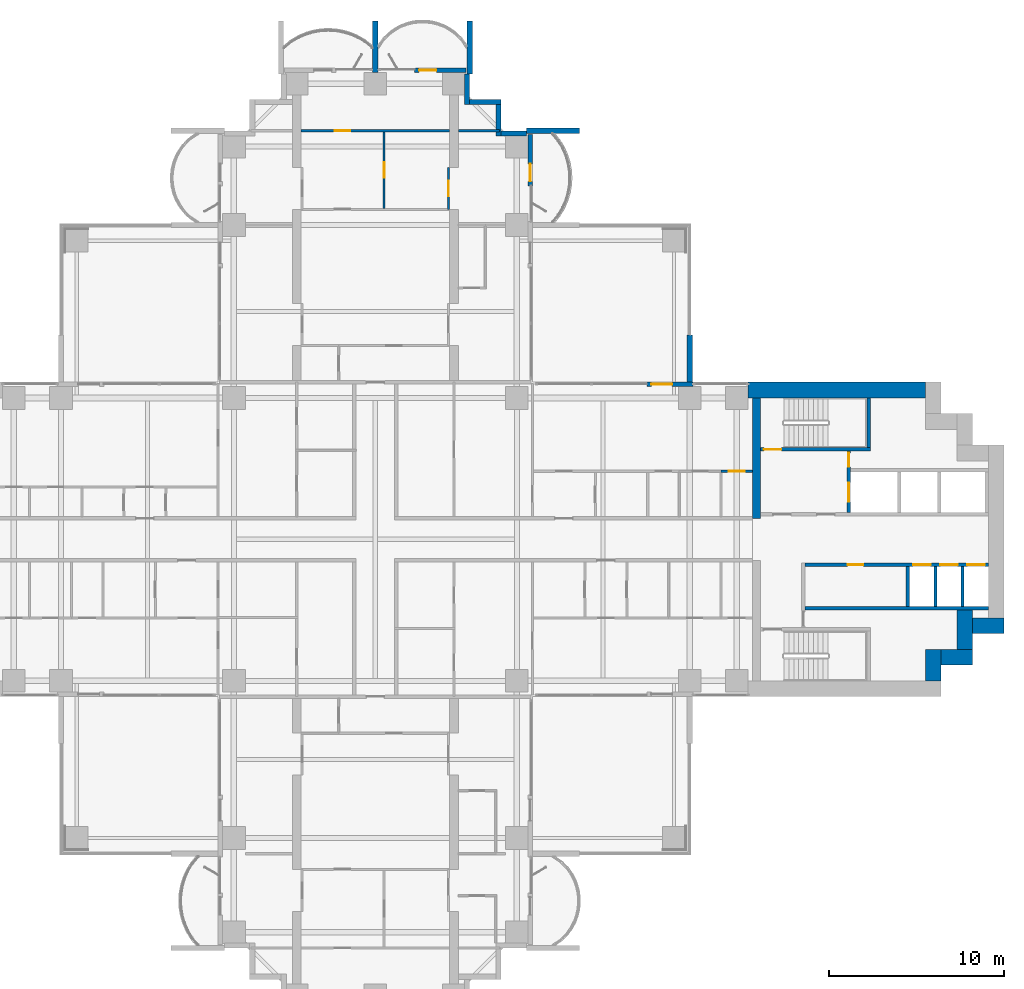
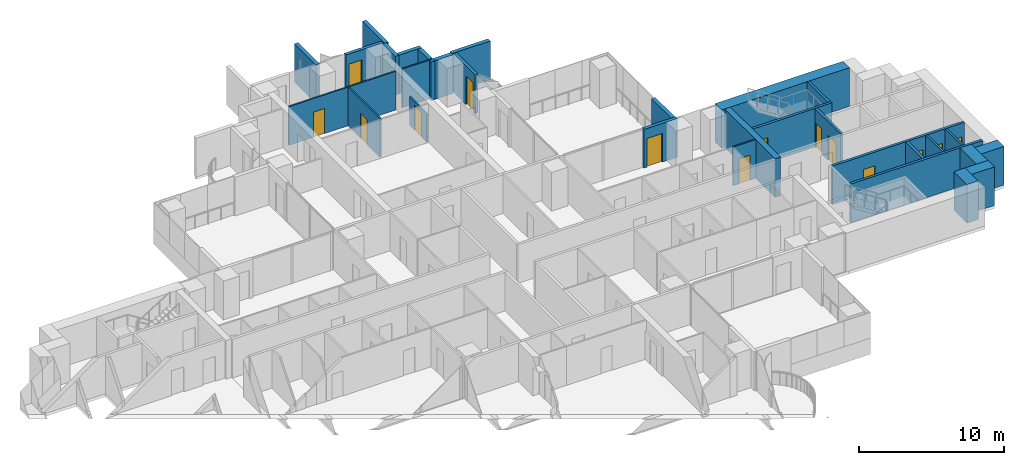
# One storey, part 15 of 21: 30 walls, 14 doors, 14 openings.
"""IFC4 building model written with IfcOpenShell, lengths in metres."""

from ifc_helpers import new_model, si_unit, direction, frame, frame_2d, origin, place, context, subcontext, project, spatial, rectangle, extrude, material, layer, layer_set, type_object, element, fill, save


model = new_model("IFC4")

# Units and contexts
model_context = context("Model", 3, precision=1e-05, world=origin(), true_north=direction((0.0, 1.0)))
body_context = subcontext(model_context, "Body", "Model", "MODEL_VIEW")
ifc_project = project(units=[si_unit("LENGTHUNIT", "METRE"), si_unit("AREAUNIT", "SQUARE_METRE"), si_unit("VOLUMEUNIT", "CUBIC_METRE"), si_unit("PLANEANGLEUNIT", "RADIAN"), si_unit("MASSUNIT", "GRAM", prefix="KILO")], contexts=[model_context])

# Site, building, storey
site_placement = place(None, origin())
site = spatial("IfcSite", under=ifc_project, at=site_placement, CompositionType="ELEMENT")
building_placement = place(site_placement, origin())
building = spatial("IfcBuilding", under=site, at=building_placement, Name="Perihelion Cross Residences", CompositionType="ELEMENT")
storey_placement = place(building_placement, frame((0.0, 0.0, 47.0)))
storey = spatial("IfcBuildingStorey", under=building, at=storey_placement, Name="L08", CompositionType="ELEMENT", Elevation=47.0)

# Wall, opening, door
ifc_material_1 = material(Name="Concrete C30/37, bronze-clad", Category="concrete")
ifc_layer_1 = layer(ifc_material_1, 0.25)
ifc_layer_set_1 = layer_set([ifc_layer_1], Name="Bronze-clad pier wall 250")
wall_type_1 = type_object("IfcWallType", Name="Bronze-clad pier wall 250", PredefinedType="SOLIDWALL", material=ifc_layer_set_1)
wall_1_placement = place(storey_placement, frame((18.199951171875, 8.875, 0.0), z_axis=(0.0, 0.0, 1.0), x_axis=(-1.0, 0.0, 0.0)))
wall_1 = element("IfcWall", 1, at=wall_1_placement, inside=storey, type_object=wall_type_1, Name="Wall FW1 L08 east side north bay 2 pier", PredefinedType="SOLIDWALL", context=body_context, shape_type="SweptSolid", body=[
    extrude(rectangle(XDim=2.64990234375, YDim=0.25, at=frame_2d((1.324951171875, 0.0))), origin(), (0.0, 0.0, 1.0), 3.25),
])
opening_1_placement = place(wall_1_placement, frame((1.199951171875, 0.0, 0.0)))
opening_1 = element("IfcOpeningElement", 2, at=opening_1_placement, cuts=wall_1, Name="Opening L08.E01", PredefinedType="OPENING", context=body_context, shape_type="SweptSolid", body=[
    extrude(rectangle(XDim=1.199951171875, YDim=2.39990234375, at=frame_2d((0.60009765625, 1.199951171875))), frame((0.0, 0.135009765625, 0.0), z_axis=(0.0, -1.0, 0.0), x_axis=(1.0, 0.0, 0.0)), (0.0, 0.0, 1.0), 0.27001953125),
])
ifc_material_2 = material(Name="Bronze anodised aluminium, glazed", Category="aluminium")
door_type_1 = type_object("IfcDoorType", Name="Balcony door 1200 x 2400", OperationType="NOTDEFINED", PredefinedType="DOOR", material=ifc_material_2)
door_1_placement = place(opening_1_placement, origin())
door_1 = element("IfcDoor", 3, at=door_1_placement, inside=storey, type_object=door_type_1, Name="Door L08.E01 east side north bay 2", OperationType="SINGLE_SWING_RIGHT", OverallHeight=2.39990234375, OverallWidth=1.199951171875, PredefinedType="DOOR", context=body_context, shape_type="SweptSolid", body=[
    extrude(rectangle(XDim=1.199951171875, YDim=2.39990234375, at=frame_2d((0.60009765625, 1.199951171875))), frame((0.0, 0.02490234375, 0.0), z_axis=(0.0, -1.0, 0.0), x_axis=(1.0, 0.0, 0.0)), (0.0, 0.0, 1.0), 0.050048828125),
])
fill(opening_1, door_1)

wall_2_placement = place(storey_placement, frame((8.875, 20.25, 0.0), z_axis=(0.0, 0.0, 1.0), x_axis=(0.0, 1.0, 0.0)))
wall_2 = element("IfcWall", 4, at=wall_2_placement, inside=storey, type_object=wall_type_1, Name="Wall FW1 L08 north side east bay 2 pier", PredefinedType="SOLIDWALL", context=body_context, shape_type="SweptSolid", body=[
    extrude(rectangle(XDim=2.949951171875, YDim=0.25, at=frame_2d((1.47509765625, 0.0))), origin(), (0.0, 0.0, 1.0), 3.25),
])
opening_2_placement = place(wall_2_placement, frame((0.25, 0.0, 0.0)))
opening_2 = element("IfcOpeningElement", 5, at=opening_2_placement, cuts=wall_2, Name="Opening L08.E03", PredefinedType="OPENING", context=body_context, shape_type="SweptSolid", body=[
    extrude(rectangle(XDim=1.0, YDim=2.39990234375, at=frame_2d((0.5, 1.199951171875))), frame((0.0, 0.135009765625, 0.0), z_axis=(0.0, -1.0, 0.0), x_axis=(1.0, 0.0, 0.0)), (0.0, 0.0, 1.0), 0.27001953125),
])
ifc_material_3 = material(Name="Bronze anodised aluminium, glazed", Category="aluminium")
door_type_2 = type_object("IfcDoorType", Name="Balcony door 1000 x 2400", OperationType="NOTDEFINED", PredefinedType="DOOR", material=ifc_material_3)
door_2_placement = place(opening_2_placement, origin())
door_2 = element("IfcDoor", 6, at=door_2_placement, inside=storey, type_object=door_type_2, Name="Door L08.E03 north side east bay 2", OperationType="SINGLE_SWING_RIGHT", OverallHeight=2.39990234375, OverallWidth=1.0, PredefinedType="DOOR", context=body_context, shape_type="SweptSolid", body=[
    extrude(rectangle(XDim=1.0, YDim=2.39990234375, at=frame_2d((0.5, 1.199951171875))), frame((0.0, 0.02490234375, 0.0), z_axis=(0.0, -1.0, 0.0), x_axis=(1.0, 0.0, 0.0)), (0.0, 0.0, 1.0), 0.050048828125),
])
fill(opening_2, door_2)

wall_3_placement = place(storey_placement, frame((5.199951171875, 26.875, 0.0), z_axis=(0.0, 0.0, 1.0), x_axis=(-1.0, 0.0, 0.0)))
wall_3 = element("IfcWall", 7, at=wall_3_placement, inside=storey, type_object=wall_type_1, Name="Wall FW1 L08 north tip north bay 1 pier", PredefinedType="SOLIDWALL", context=body_context, shape_type="SweptSolid", body=[
    extrude(rectangle(XDim=2.949951171875, YDim=0.25, at=frame_2d((1.47509765625, 0.0))), origin(), (0.0, 0.0, 1.0), 3.25),
])
opening_3_placement = place(wall_3_placement, frame((1.699951171875, 0.0, 0.0)))
opening_3 = element("IfcOpeningElement", 8, at=opening_3_placement, cuts=wall_3, Name="Opening L08.E04", PredefinedType="OPENING", context=body_context, shape_type="SweptSolid", body=[
    extrude(rectangle(XDim=1.0, YDim=2.39990234375, at=frame_2d((0.5, 1.199951171875))), frame((0.0, 0.135009765625, 0.0), z_axis=(0.0, -1.0, 0.0), x_axis=(1.0, 0.0, 0.0)), (0.0, 0.0, 1.0), 0.27001953125),
])
door_3_placement = place(opening_3_placement, origin())
door_3 = element("IfcDoor", 9, at=door_3_placement, inside=storey, type_object=door_type_2, Name="Door L08.E04 north tip north bay 1", OperationType="SINGLE_SWING_LEFT", OverallHeight=2.39990234375, OverallWidth=1.0, PredefinedType="DOOR", context=body_context, shape_type="SweptSolid", body=[
    extrude(rectangle(XDim=1.0, YDim=2.39990234375, at=frame_2d((0.5, 1.199951171875))), frame((0.0, 0.02490234375, 0.0), z_axis=(0.0, -1.0, 0.0), x_axis=(1.0, 0.0, 0.0)), (0.0, 0.0, 1.0), 0.050048828125),
])
fill(opening_3, door_3)

# Walls
ifc_material_4 = material(Name="Concrete C30/37, bronze-clad", Category="concrete")
ifc_layer_2 = layer(ifc_material_4, 0.300048828125)
ifc_layer_set_2 = layer_set([ifc_layer_2], Name="Bronze-clad serration wall 300")
wall_type_2 = type_object("IfcWallType", Name="Bronze-clad serration wall 300", PredefinedType="SOLIDWALL", material=ifc_layer_set_2)
wall_4_placement = place(storey_placement, frame((8.64990234375, 23.25, 0.0), z_axis=(0.0, 0.0, 1.0), x_axis=(-1.0, 0.0, 0.0)))
element("IfcWall", 10, at=wall_4_placement, inside=storey, type_object=wall_type_2, Name="Wall SR1 L08 north corner north-east 1", PredefinedType="SOLIDWALL", context=body_context, shape_type="SweptSolid", body=[
    extrude(rectangle(XDim=1.449951171875, YDim=0.300048828125, at=frame_2d((0.72509765625, 0.0))), origin(), (0.0, 0.0, 1.0), 3.25),
])
wall_5_placement = place(storey_placement, frame((7.050048828125, 23.10009765625, 0.0), z_axis=(0.0, 0.0, 1.0), x_axis=(0.0, 1.0, 0.0)))
element("IfcWall", 11, at=wall_5_placement, inside=storey, type_object=wall_type_2, Name="Wall SR1 L08 north corner north-east 2", PredefinedType="SOLIDWALL", context=body_context, shape_type="SweptSolid", body=[
    extrude(rectangle(XDim=1.7998046875, YDim=0.300048828125, at=frame_2d((0.89990234375, 0.0))), origin(), (0.0, 0.0, 1.0), 3.25),
])
wall_6_placement = place(storey_placement, frame((7.199951171875, 25.050048828125, 0.0), z_axis=(0.0, 0.0, 1.0), x_axis=(-1.0, 0.0, 0.0)))
element("IfcWall", 12, at=wall_6_placement, inside=storey, type_object=wall_type_2, Name="Wall SR1 L08 north corner north-east 3", PredefinedType="SOLIDWALL", context=body_context, shape_type="SweptSolid", body=[
    extrude(rectangle(XDim=1.800048828125, YDim=0.300048828125, at=frame_2d((0.89990234375, 0.0))), origin(), (0.0, 0.0, 1.0), 3.25),
])
wall_7_placement = place(storey_placement, frame((5.25, 24.89990234375, 0.0), z_axis=(0.0, 0.0, 1.0), x_axis=(0.0, 1.0, 0.0)))
element("IfcWall", 13, at=wall_7_placement, inside=storey, type_object=wall_type_2, Name="Wall SR1 L08 north corner north-east 4", PredefinedType="SOLIDWALL", context=body_context, shape_type="SweptSolid", body=[
    extrude(rectangle(XDim=1.75, YDim=0.300048828125, at=frame_2d((0.875, 0.0))), origin(), (0.0, 0.0, 1.0), 3.25),
])
ifc_material_5 = material(Name="Concrete C60/75", Category="concrete")
ifc_layer_3 = layer(ifc_material_5, 0.449951171875)
ifc_layer_set_3 = layer_set([ifc_layer_3], Name="Core wall, inner 450")
wall_type_3 = type_object("IfcWallType", Name="Core wall, inner 450", PredefinedType="SHEAR", material=ifc_layer_set_3)
wall_8_placement = place(storey_placement, frame((21.824951171875, 1.199951171875, 0.0), z_axis=(0.0, 0.0, 1.0), x_axis=(0.0, 1.0, 0.0)))
element("IfcWall", 14, at=wall_8_placement, inside=storey, type_object=wall_type_3, Name="East core core wall, inner", PredefinedType="SHEAR", context=body_context, shape_type="SweptSolid", body=[
    extrude(rectangle(XDim=6.900146484375, YDim=0.449951171875, at=frame_2d((3.4501953125, 0.0))), origin(), (0.0, 0.0, 1.0), 3.25),
])
ifc_material_6 = material(Name="Concrete C60/75", Category="concrete")
ifc_layer_4 = layer(ifc_material_6, 0.89990234375)
ifc_layer_set_4 = layer_set([ifc_layer_4], Name="Core wall, outer 900")
wall_type_4 = type_object("IfcWallType", Name="Core wall, outer 900", PredefinedType="SHEAR", material=ifc_layer_set_4)
for number, where, z_axis, x_axis, name in (
    (15, (31.949951171875, -8.10009765625, 0.0), (0.0, 0.0, 1.0), (0.0, 1.0, 0.0), "East core core wall, outer"),
    (16, (32.39990234375, -6.75, 0.0), (0.0, 0.0, 1.0), (1.0, 0.0, 0.0), "East core core wall, outer"),
):
    element("IfcWall", number, at=place(storey_placement, frame(where, z_axis=z_axis, x_axis=x_axis)), inside=storey, type_object=wall_type_4, Name=name, PredefinedType="SHEAR", context=body_context, shape_type="SweptSolid", body=[
        extrude(rectangle(XDim=1.800048828125, YDim=0.89990234375, at=frame_2d((0.89990234375, 0.0))), origin(), (0.0, 0.0, 1.0), 3.25),
    ])
wall_9_placement = place(storey_placement, frame((33.75, -6.300048828125, 0.0), z_axis=(0.0, 0.0, 1.0), x_axis=(0.0, 1.0, 0.0)))
element("IfcWall", 17, at=wall_9_placement, inside=storey, type_object=wall_type_4, Name="East core core wall, outer", PredefinedType="SHEAR", context=body_context, shape_type="SweptSolid", body=[
    extrude(rectangle(XDim=2.25, YDim=0.89990234375, at=frame_2d((1.125, 0.0))), origin(), (0.0, 0.0, 1.0), 3.25),
])
wall_10_placement = place(storey_placement, frame((34.199951171875, -4.949951171875, 0.0), z_axis=(0.0, 0.0, 1.0), x_axis=(1.0, 0.0, 0.0)))
element("IfcWall", 18, at=wall_10_placement, inside=storey, type_object=wall_type_4, Name="East core core wall, outer", PredefinedType="SHEAR", context=body_context, shape_type="SweptSolid", body=[
    extrude(rectangle(XDim=1.800048828125, YDim=0.89990234375, at=frame_2d((0.89990234375, 0.0))), origin(), (0.0, 0.0, 1.0), 3.25),
])
wall_11_placement = place(storey_placement, frame((21.35009765625, 8.550048828125, 0.0), z_axis=(0.0, 0.0, 1.0), x_axis=(1.0, 0.0, 0.0)))
element("IfcWall", 19, at=wall_11_placement, inside=storey, type_object=wall_type_4, Name="East core core wall, outer", PredefinedType="SHEAR", context=body_context, shape_type="SweptSolid", body=[
    extrude(rectangle(XDim=10.14990234375, YDim=0.89990234375, at=frame_2d((5.074951171875, 0.0))), origin(), (0.0, 0.0, 1.0), 3.25),
])

# Wall, opening, door
ifc_material_7 = material(Name="Plasterboard partition")
ifc_layer_5 = layer(ifc_material_7, 0.1201171875)
ifc_layer_set_5 = layer_set([ifc_layer_5], Name="Infill panel 120")
wall_type_5 = type_object("IfcWallType", Name="Infill panel 120", PredefinedType="PARTITIONING", material=ifc_layer_set_5)
wall_12_placement = place(storey_placement, frame((4.18994140625, 18.89990234375, 0.0), z_axis=(0.0, 0.0, 1.0), x_axis=(0.0, 1.0, 0.0)))
wall_12 = element("IfcWall", 20, at=wall_12_placement, inside=storey, type_object=wall_type_5, Name="Partition L08 WI02", PredefinedType="PARTITIONING", context=body_context, shape_type="SweptSolid", body=[
    extrude(rectangle(XDim=2.400146484375, YDim=0.1201171875, at=frame_2d((1.2001953125, 0.0))), origin(), (0.0, 0.0, 1.0), 2.39990234375),
])
opening_4_placement = place(wall_12_placement, frame((0.75, 0.0, 0.0)))
opening_4 = element("IfcOpeningElement", 21, at=opening_4_placement, cuts=wall_12, Name="Opening L08.A52", PredefinedType="OPENING", context=body_context, shape_type="SweptSolid", body=[
    extrude(rectangle(XDim=0.89990234375, YDim=2.10009765625, at=frame_2d((0.449951171875, 1.050048828125))), frame((0.0, 0.070068359375, 0.0), z_axis=(0.0, -1.0, 0.0), x_axis=(1.0, 0.0, 0.0)), (0.0, 0.0, 1.0), 0.14013671875),
])
ifc_material_8 = material(Name="Timber door leaf", Category="wood")
door_type_3 = type_object("IfcDoorType", Name="Interior room door 900 x 2100", OperationType="SINGLE_SWING_LEFT", PredefinedType="DOOR", material=ifc_material_8)
door_4_placement = place(opening_4_placement, origin())
door_4 = element("IfcDoor", 22, at=door_4_placement, inside=storey, type_object=door_type_3, Name="Door L08.A52", OperationType="SINGLE_SWING_RIGHT", OverallHeight=2.10009765625, OverallWidth=0.89990234375, PredefinedType="DOOR", context=body_context, shape_type="SweptSolid", body=[
    extrude(rectangle(XDim=0.89990234375, YDim=2.10009765625, at=frame_2d((0.449951171875, 1.050048828125))), frame((0.0, 0.02490234375, 0.0), z_axis=(0.0, -1.0, 0.0), x_axis=(1.0, 0.0, 0.0)), (0.0, 0.0, 1.0), 0.050048828125),
])
fill(opening_4, door_4)

ifc_material_9 = material(Name="Plasterboard partition")
ifc_layer_6 = layer(ifc_material_9, 0.1201171875)
ifc_layer_set_6 = layer_set([ifc_layer_6], Name="Partition wall 120")
wall_type_6 = type_object("IfcWallType", Name="Partition wall 120", PredefinedType="PARTITIONING", material=ifc_layer_set_6)
wall_13_placement = place(storey_placement, frame((19.800048828125, 3.89990234375, 0.0), z_axis=(0.0, 0.0, 1.0), x_axis=(1.0, 0.0, 0.0)))
wall_13 = element("IfcWall", 23, at=wall_13_placement, inside=storey, type_object=wall_type_6, Name="Partition L08 W018", PredefinedType="PARTITIONING", context=body_context, shape_type="SweptSolid", body=[
    extrude(rectangle(XDim=1.800048828125, YDim=0.1201171875, at=frame_2d((0.89990234375, 0.0))), origin(), (0.0, 0.0, 1.0), 3.25),
])
opening_5_placement = place(wall_13_placement, frame((0.449951171875, 0.0, 0.0)))
opening_5 = element("IfcOpeningElement", 24, at=opening_5_placement, cuts=wall_13, Name="Opening L08.A03", PredefinedType="OPENING", context=body_context, shape_type="SweptSolid", body=[
    extrude(rectangle(XDim=0.89990234375, YDim=2.10009765625, at=frame_2d((0.449951171875, 1.050048828125))), frame((0.0, 0.070068359375, 0.0), z_axis=(0.0, -1.0, 0.0), x_axis=(1.0, 0.0, 0.0)), (0.0, 0.0, 1.0), 0.14013671875),
])
door_5_placement = place(opening_5_placement, origin())
door_5 = element("IfcDoor", 25, at=door_5_placement, inside=storey, type_object=door_type_3, Name="Door L08.A03", OperationType="SINGLE_SWING_RIGHT", OverallHeight=2.10009765625, OverallWidth=0.89990234375, PredefinedType="DOOR", context=body_context, shape_type="SweptSolid", body=[
    extrude(rectangle(XDim=0.89990234375, YDim=2.10009765625, at=frame_2d((0.449951171875, 1.050048828125))), frame((0.0, 0.02490234375, 0.0), z_axis=(0.0, -1.0, 0.0), x_axis=(1.0, 0.0, 0.0)), (0.0, 0.0, 1.0), 0.050048828125),
])
fill(opening_5, door_5)

wall_14_placement = place(storey_placement, frame((0.5, 23.340087890625, 0.0), z_axis=(0.0, 0.0, 1.0), x_axis=(0.0, -1.0, 0.0)))
wall_14 = element("IfcWall", 26, at=wall_14_placement, inside=storey, type_object=wall_type_6, Name="Partition L08 W057", PredefinedType="PARTITIONING", context=body_context, shape_type="SweptSolid", body=[
    extrude(rectangle(XDim=4.380126953125, YDim=0.1201171875, at=frame_2d((2.18994140625, 0.0))), origin(), (0.0, 0.0, 1.0), 3.25),
])
opening_6_placement = place(wall_14_placement, frame((1.739990234375, 0.0, 0.0)))
opening_6 = element("IfcOpeningElement", 27, at=opening_6_placement, cuts=wall_14, Name="Opening L08.A36", PredefinedType="OPENING", context=body_context, shape_type="SweptSolid", body=[
    extrude(rectangle(XDim=0.89990234375, YDim=2.10009765625, at=frame_2d((0.449951171875, 1.050048828125))), frame((0.0, 0.070068359375, 0.0), z_axis=(0.0, -1.0, 0.0), x_axis=(1.0, 0.0, 0.0)), (0.0, 0.0, 1.0), 0.14013671875),
])
door_6_placement = place(opening_6_placement, origin())
door_6 = element("IfcDoor", 28, at=door_6_placement, inside=storey, type_object=door_type_3, Name="Door L08.A36", OperationType="SINGLE_SWING_LEFT", OverallHeight=2.10009765625, OverallWidth=0.89990234375, PredefinedType="DOOR", context=body_context, shape_type="SweptSolid", body=[
    extrude(rectangle(XDim=0.89990234375, YDim=2.10009765625, at=frame_2d((0.449951171875, 1.050048828125))), frame((0.0, 0.02490234375, 0.0), z_axis=(0.0, -1.0, 0.0), x_axis=(1.0, 0.0, 0.0)), (0.0, 0.0, 1.0), 0.050048828125),
])
fill(opening_6, door_6)

wall_15_placement = place(storey_placement, frame((-4.25, 23.39990234375, 0.0), z_axis=(0.0, 0.0, 1.0), x_axis=(1.0, 0.0, 0.0)))
wall_15 = element("IfcWall", 29, at=wall_15_placement, inside=storey, type_object=wall_type_6, Name="Partition L08 W058", PredefinedType="PARTITIONING", context=body_context, shape_type="SweptSolid", body=[
    extrude(rectangle(XDim=8.5, YDim=0.1201171875, at=frame_2d((4.25, 0.0))), origin(), (0.0, 0.0, 1.0), 3.25),
])
opening_7_placement = place(wall_15_placement, frame((1.925048828125, 0.0, 0.0)))
opening_7 = element("IfcOpeningElement", 30, at=opening_7_placement, cuts=wall_15, Name="Opening L08.A37", PredefinedType="OPENING", context=body_context, shape_type="SweptSolid", body=[
    extrude(rectangle(XDim=0.89990234375, YDim=2.10009765625, at=frame_2d((0.449951171875, 1.050048828125))), frame((0.0, 0.070068359375, 0.0), z_axis=(0.0, -1.0, 0.0), x_axis=(1.0, 0.0, 0.0)), (0.0, 0.0, 1.0), 0.14013671875),
])
door_7_placement = place(opening_7_placement, origin())
door_7 = element("IfcDoor", 31, at=door_7_placement, inside=storey, type_object=door_type_3, Name="Door L08.A37", OperationType="SINGLE_SWING_LEFT", OverallHeight=2.10009765625, OverallWidth=0.89990234375, PredefinedType="DOOR", context=body_context, shape_type="SweptSolid", body=[
    extrude(rectangle(XDim=0.89990234375, YDim=2.10009765625, at=frame_2d((0.449951171875, 1.050048828125))), frame((0.0, 0.02490234375, 0.0), z_axis=(0.0, -1.0, 0.0), x_axis=(1.0, 0.0, 0.0)), (0.0, 0.0, 1.0), 0.050048828125),
])
fill(opening_7, door_7)

# Walls
wall_16_placement = place(storey_placement, frame((4.75, 23.39990234375, 0.0), z_axis=(0.0, 0.0, 1.0), x_axis=(1.0, 0.0, 0.0)))
element("IfcWall", 32, at=wall_16_placement, inside=storey, type_object=wall_type_6, Name="Partition L08 W063", PredefinedType="PARTITIONING", context=body_context, shape_type="SweptSolid", body=[
    extrude(rectangle(XDim=2.3701171875, YDim=0.1201171875, at=frame_2d((1.18505859375, 0.0))), origin(), (0.0, 0.0, 1.0), 3.25),
])
ifc_material_10 = material(Name="Precast concrete C50/60", Category="concrete")
ifc_layer_7 = layer(ifc_material_10, 0.300048828125)
ifc_layer_set_7 = layer_set([ifc_layer_7], Name="Precast concrete C50/60 blade wall 300")
wall_type_7 = type_object("IfcWallType", Name="Precast concrete C50/60 blade wall 300", PredefinedType="SOLIDWALL", material=ifc_layer_set_7)
wall_17_placement = place(storey_placement, frame((0.0, 26.75, 0.0), z_axis=(0.0, 0.0, 1.0), x_axis=(0.0, 1.0, 0.0)))
element("IfcWall", 33, at=wall_17_placement, inside=storey, type_object=wall_type_7, Name="Wall BL1 L08 no. 10", PredefinedType="SOLIDWALL", context=body_context, shape_type="SweptSolid", body=[
    extrude(rectangle(XDim=2.949951171875, YDim=0.300048828125, at=frame_2d((1.47509765625, 0.0))), origin(), (0.0, 0.0, 1.0), 3.25),
])
for number, where, z_axis, x_axis, name in (
    (34, (5.39990234375, 26.64990234375, 0.0), (0.0, 0.0, 1.0), (0.0, 1.0, 0.0), "Wall BL1 L08 no. 14"),
    (35, (8.64990234375, 23.39990234375, 0.0), (0.0, 0.0, 1.0), (1.0, 0.0, 0.0), "Wall BL1 L08 no. 18"),
):
    element("IfcWall", number, at=place(storey_placement, frame(where, z_axis=z_axis, x_axis=x_axis)), inside=storey, type_object=wall_type_7, Name=name, PredefinedType="SOLIDWALL", context=body_context, shape_type="SweptSolid", body=[
        extrude(rectangle(XDim=3.050048828125, YDim=0.300048828125, at=frame_2d((1.52490234375, 0.0))), origin(), (0.0, 0.0, 1.0), 3.25),
    ])
wall_18_placement = place(storey_placement, frame((18.0, 8.75, 0.0), z_axis=(0.0, 0.0, 1.0), x_axis=(0.0, 1.0, 0.0)))
element("IfcWall", 36, at=wall_18_placement, inside=storey, type_object=wall_type_7, Name="Wall BL1 L08 no. 12", PredefinedType="SOLIDWALL", context=body_context, shape_type="SweptSolid", body=[
    extrude(rectangle(XDim=2.949951171875, YDim=0.300048828125, at=frame_2d((1.47509765625, 0.0))), origin(), (0.0, 0.0, 1.0), 3.25),
])
ifc_material_11 = material(Name="Concrete C50/60", Category="concrete")
ifc_layer_8 = layer(ifc_material_11, 0.14990234375)
ifc_layer_set_8 = layer_set([ifc_layer_8], Name="Shaft wall 150")
wall_type_8 = type_object("IfcWallType", Name="Shaft wall 150", PredefinedType="SOLIDWALL", material=ifc_layer_set_8)
for number, where, z_axis, x_axis, name in (
    (37, (32.074951171875, -3.85009765625, 0.0), (0.0, 0.0, 1.0), (0.0, 1.0, 0.0), "East core shaft wall"),
    (38, (33.625, -3.85009765625, 0.0), (0.0, 0.0, 1.0), (0.0, 1.0, 0.0), "East core shaft wall"),
):
    element("IfcWall", number, at=place(storey_placement, frame(where, z_axis=z_axis, x_axis=x_axis)), inside=storey, type_object=wall_type_8, Name=name, PredefinedType="SOLIDWALL", context=body_context, shape_type="SweptSolid", body=[
        extrude(rectangle(XDim=2.300048828125, YDim=0.14990234375, at=frame_2d((1.14990234375, 0.0))), origin(), (0.0, 0.0, 1.0), 3.25),
    ])

# Wall, openings, doors
ifc_material_12 = material(Name="Concrete C50/60", Category="concrete")
ifc_layer_9 = layer(ifc_material_12, 0.199951171875)
ifc_layer_set_9 = layer_set([ifc_layer_9], Name="Shaft wall 200")
wall_type_9 = type_object("IfcWallType", Name="Shaft wall 200", PredefinedType="SOLIDWALL", material=ifc_layer_set_9)
wall_19_placement = place(storey_placement, frame((24.60009765625, -1.449951171875, 0.0), z_axis=(0.0, 0.0, 1.0), x_axis=(1.0, 0.0, 0.0)))
wall_19 = element("IfcWall", 39, at=wall_19_placement, inside=storey, type_object=wall_type_9, Name="East core shaft wall", PredefinedType="SOLIDWALL", context=body_context, shape_type="SweptSolid", body=[
    extrude(rectangle(XDim=10.5, YDim=0.199951171875, at=frame_2d((5.25, 0.0))), origin(), (0.0, 0.0, 1.0), 3.25),
])
opening_8_placement = place(wall_19_placement, frame((6.199951171875, 0.0, 0.0)))
opening_8 = element("IfcOpeningElement", 40, at=opening_8_placement, cuts=wall_19, Name="Opening L08.C02", PredefinedType="OPENING", context=body_context, shape_type="SweptSolid", body=[
    extrude(rectangle(XDim=1.0, YDim=2.10009765625, at=frame_2d((0.5, 1.050048828125))), frame((0.0, 0.10986328125, 0.0), z_axis=(0.0, -1.0, 0.0), x_axis=(1.0, 0.0, 0.0)), (0.0, 0.0, 1.0), 0.219970703125),
])
opening_9_placement = place(wall_19_placement, frame((7.75, 0.0, 0.0)))
opening_9 = element("IfcOpeningElement", 41, at=opening_9_placement, cuts=wall_19, Name="Opening L08.C03", PredefinedType="OPENING", context=body_context, shape_type="SweptSolid", body=[
    extrude(rectangle(XDim=1.0, YDim=2.10009765625, at=frame_2d((0.5, 1.050048828125))), frame((0.0, 0.10986328125, 0.0), z_axis=(0.0, -1.0, 0.0), x_axis=(1.0, 0.0, 0.0)), (0.0, 0.0, 1.0), 0.219970703125),
])
opening_10_placement = place(wall_19_placement, frame((9.300048828125, 0.0, 0.0)))
opening_10 = element("IfcOpeningElement", 42, at=opening_10_placement, cuts=wall_19, Name="Opening L08.C04", PredefinedType="OPENING", context=body_context, shape_type="SweptSolid", body=[
    extrude(rectangle(XDim=1.0, YDim=2.10009765625, at=frame_2d((0.5, 1.050048828125))), frame((0.0, 0.10986328125, 0.0), z_axis=(0.0, -1.0, 0.0), x_axis=(1.0, 0.0, 0.0)), (0.0, 0.0, 1.0), 0.219970703125),
])
opening_11_placement = place(wall_19_placement, frame((2.449951171875, 0.0, 0.0)))
opening_11 = element("IfcOpeningElement", 43, at=opening_11_placement, cuts=wall_19, Name="Opening L08.C11", PredefinedType="OPENING", context=body_context, shape_type="SweptSolid", body=[
    extrude(rectangle(XDim=0.89990234375, YDim=2.10009765625, at=frame_2d((0.449951171875, 1.050048828125))), frame((0.0, 0.10986328125, 0.0), z_axis=(0.0, -1.0, 0.0), x_axis=(1.0, 0.0, 0.0)), (0.0, 0.0, 1.0), 0.219970703125),
])
ifc_material_13 = material(Name="Stainless steel", Category="steel")
door_type_4 = type_object("IfcDoorType", Name="Landing door 1000", OperationType="DOUBLE_DOOR_SLIDING", PredefinedType="DOOR", material=ifc_material_13)
door_8_placement = place(opening_8_placement, origin())
door_8 = element("IfcDoor", 44, at=door_8_placement, inside=storey, type_object=door_type_4, Name="Landing door, East core low-rise lift 1", OperationType="DOUBLE_DOOR_SLIDING", OverallHeight=2.10009765625, OverallWidth=1.0, PredefinedType="DOOR", context=body_context, shape_type="SweptSolid", body=[
    extrude(rectangle(XDim=1.0, YDim=2.10009765625, at=frame_2d((0.5, 1.050048828125))), frame((0.0, 0.02490234375, 0.0), z_axis=(0.0, -1.0, 0.0), x_axis=(1.0, 0.0, 0.0)), (0.0, 0.0, 1.0), 0.050048828125),
])
fill(opening_8, door_8)
door_9_placement = place(opening_9_placement, origin())
door_9 = element("IfcDoor", 45, at=door_9_placement, inside=storey, type_object=door_type_4, Name="Landing door, East core low-rise lift 2", OperationType="DOUBLE_DOOR_SLIDING", OverallHeight=2.10009765625, OverallWidth=1.0, PredefinedType="DOOR", context=body_context, shape_type="SweptSolid", body=[
    extrude(rectangle(XDim=1.0, YDim=2.10009765625, at=frame_2d((0.5, 1.050048828125))), frame((0.0, 0.02490234375, 0.0), z_axis=(0.0, -1.0, 0.0), x_axis=(1.0, 0.0, 0.0)), (0.0, 0.0, 1.0), 0.050048828125),
])
fill(opening_9, door_9)
door_10_placement = place(opening_10_placement, origin())
door_10 = element("IfcDoor", 46, at=door_10_placement, inside=storey, type_object=door_type_4, Name="Landing door, East core low-rise lift 3", OperationType="DOUBLE_DOOR_SLIDING", OverallHeight=2.10009765625, OverallWidth=1.0, PredefinedType="DOOR", context=body_context, shape_type="SweptSolid", body=[
    extrude(rectangle(XDim=1.0, YDim=2.10009765625, at=frame_2d((0.5, 1.050048828125))), frame((0.0, 0.02490234375, 0.0), z_axis=(0.0, -1.0, 0.0), x_axis=(1.0, 0.0, 0.0)), (0.0, 0.0, 1.0), 0.050048828125),
])
fill(opening_10, door_10)
ifc_material_14 = material(Name="Steel, powder coated", Category="steel")
door_type_5 = type_object("IfcDoorType", Name="Service room door 900", OperationType="SINGLE_SWING_LEFT", PredefinedType="DOOR", material=ifc_material_14)
door_11_placement = place(opening_11_placement, origin())
door_11 = element("IfcDoor", 47, at=door_11_placement, inside=storey, type_object=door_type_5, Name="East core service room door", OperationType="SINGLE_SWING_LEFT", OverallHeight=2.10009765625, OverallWidth=0.89990234375, PredefinedType="DOOR", context=body_context, shape_type="SweptSolid", body=[
    extrude(rectangle(XDim=0.89990234375, YDim=2.10009765625, at=frame_2d((0.449951171875, 1.050048828125))), frame((0.0, 0.02490234375, 0.0), z_axis=(0.0, -1.0, 0.0), x_axis=(1.0, 0.0, 0.0)), (0.0, 0.0, 1.0), 0.050048828125),
])
fill(opening_11, door_11)

# Wall
wall_20_placement = place(storey_placement, frame((24.60009765625, -3.949951171875, 0.0), z_axis=(0.0, 0.0, 1.0), x_axis=(1.0, 0.0, 0.0)))
element("IfcWall", 48, at=wall_20_placement, inside=storey, type_object=wall_type_9, Name="East core shaft wall", PredefinedType="SOLIDWALL", context=body_context, shape_type="SweptSolid", body=[
    extrude(rectangle(XDim=10.5, YDim=0.199951171875, at=frame_2d((5.25, 0.0))), origin(), (0.0, 0.0, 1.0), 3.25),
])

# Wall, openings, doors
wall_21_placement = place(storey_placement, frame((27.10009765625, 1.550048828125, 0.0), z_axis=(0.0, 0.0, 1.0), x_axis=(0.0, 1.0, 0.0)))
wall_21 = element("IfcWall", 49, at=wall_21_placement, inside=storey, type_object=wall_type_9, Name="East core shaft wall", PredefinedType="SOLIDWALL", context=body_context, shape_type="SweptSolid", body=[
    extrude(rectangle(XDim=3.5, YDim=0.199951171875, at=frame_2d((1.75, 0.0))), origin(), (0.0, 0.0, 1.0), 3.25),
])
opening_12_placement = place(wall_21_placement, frame((0.60009765625, 0.0, 0.0)))
opening_12 = element("IfcOpeningElement", 50, at=opening_12_placement, cuts=wall_21, Name="Opening L08.C01", PredefinedType="OPENING", context=body_context, shape_type="SweptSolid", body=[
    extrude(rectangle(XDim=1.10009765625, YDim=2.10009765625, at=frame_2d((0.550048828125, 1.050048828125))), frame((0.0, 0.10986328125, 0.0), z_axis=(0.0, -1.0, 0.0), x_axis=(1.0, 0.0, 0.0)), (0.0, 0.0, 1.0), 0.219970703125),
])
opening_13_placement = place(wall_21_placement, frame((2.60009765625, 0.0, 0.0)))
opening_13 = element("IfcOpeningElement", 51, at=opening_13_placement, cuts=wall_21, Name="Opening L08.C10", PredefinedType="OPENING", context=body_context, shape_type="SweptSolid", body=[
    extrude(rectangle(XDim=0.800048828125, YDim=2.10009765625, at=frame_2d((0.39990234375, 1.050048828125))), frame((0.0, 0.10986328125, 0.0), z_axis=(0.0, -1.0, 0.0), x_axis=(1.0, 0.0, 0.0)), (0.0, 0.0, 1.0), 0.219970703125),
])
ifc_material_15 = material(Name="Stainless steel", Category="steel")
door_type_6 = type_object("IfcDoorType", Name="Landing door, firefighting lift 1100", OperationType="DOUBLE_DOOR_SLIDING", PredefinedType="DOOR", material=ifc_material_15)
door_12_placement = place(opening_12_placement, origin())
door_12 = element("IfcDoor", 52, at=door_12_placement, inside=storey, type_object=door_type_6, Name="Landing door, East core firefighting and service lift", OperationType="DOUBLE_DOOR_SLIDING", OverallHeight=2.10009765625, OverallWidth=1.10009765625, PredefinedType="DOOR", context=body_context, shape_type="SweptSolid", body=[
    extrude(rectangle(XDim=1.10009765625, YDim=2.10009765625, at=frame_2d((0.550048828125, 1.050048828125))), frame((0.0, 0.02490234375, 0.0), z_axis=(0.0, -1.0, 0.0), x_axis=(1.0, 0.0, 0.0)), (0.0, 0.0, 1.0), 0.050048828125),
])
fill(opening_12, door_12)
ifc_material_16 = material(Name="Steel, powder coated", Category="steel")
door_type_7 = type_object("IfcDoorType", Name="Riser door 800", OperationType="SINGLE_SWING_LEFT", PredefinedType="DOOR", material=ifc_material_16)
door_13_placement = place(opening_13_placement, origin())
door_13 = element("IfcDoor", 53, at=door_13_placement, inside=storey, type_object=door_type_7, Name="East core riser door", OperationType="SINGLE_SWING_LEFT", OverallHeight=2.10009765625, OverallWidth=0.800048828125, PredefinedType="DOOR", context=body_context, shape_type="SweptSolid", body=[
    extrude(rectangle(XDim=0.800048828125, YDim=2.10009765625, at=frame_2d((0.39990234375, 1.050048828125))), frame((0.0, 0.02490234375, 0.0), z_axis=(0.0, -1.0, 0.0), x_axis=(1.0, 0.0, 0.0)), (0.0, 0.0, 1.0), 0.050048828125),
])
fill(opening_13, door_13)

# Wall
wall_22_placement = place(storey_placement, frame((30.5, -3.85009765625, 0.0), z_axis=(0.0, 0.0, 1.0), x_axis=(0.0, 1.0, 0.0)))
element("IfcWall", 54, at=wall_22_placement, inside=storey, type_object=wall_type_9, Name="East core shaft wall", PredefinedType="SOLIDWALL", context=body_context, shape_type="SweptSolid", body=[
    extrude(rectangle(XDim=2.300048828125, YDim=0.199951171875, at=frame_2d((1.14990234375, 0.0))), origin(), (0.0, 0.0, 1.0), 3.25),
])

# Wall, opening, door
ifc_material_17 = material(Name="Concrete C50/60", Category="concrete")
ifc_layer_10 = layer(ifc_material_17, 0.199951171875)
ifc_layer_set_10 = layer_set([ifc_layer_10], Name="Stair wall 200")
wall_type_10 = type_object("IfcWallType", Name="Stair wall 200", PredefinedType="SOLIDWALL", material=ifc_layer_set_10)
wall_23_placement = place(storey_placement, frame((22.050048828125, 5.14990234375, 0.0), z_axis=(0.0, 0.0, 1.0), x_axis=(1.0, 0.0, 0.0)))
wall_23 = element("IfcWall", 55, at=wall_23_placement, inside=storey, type_object=wall_type_10, Name="East core stair wall", PredefinedType="SOLIDWALL", context=body_context, shape_type="SweptSolid", body=[
    extrude(rectangle(XDim=6.300048828125, YDim=0.199951171875, at=frame_2d((3.14990234375, 0.0))), origin(), (0.0, 0.0, 1.0), 3.25),
])
opening_14_placement = place(wall_23_placement, frame((0.199951171875, 0.0, 0.0)))
opening_14 = element("IfcOpeningElement", 56, at=opening_14_placement, cuts=wall_23, Name="Opening L08.C06", PredefinedType="OPENING", context=body_context, shape_type="SweptSolid", body=[
    extrude(rectangle(XDim=1.0, YDim=2.10009765625, at=frame_2d((0.5, 1.050048828125))), frame((0.0, 0.10986328125, 0.0), z_axis=(0.0, -1.0, 0.0), x_axis=(1.0, 0.0, 0.0)), (0.0, 0.0, 1.0), 0.219970703125),
])
ifc_material_18 = material(Name="Steel, powder coated", Category="steel")
door_type_8 = type_object("IfcDoorType", Name="Stair door 1000", OperationType="SINGLE_SWING_LEFT", PredefinedType="DOOR", material=ifc_material_18)
door_14_placement = place(opening_14_placement, origin())
door_14 = element("IfcDoor", 57, at=door_14_placement, inside=storey, type_object=door_type_8, Name="East core stair door", OperationType="SINGLE_SWING_LEFT", OverallHeight=2.10009765625, OverallWidth=1.0, PredefinedType="DOOR", context=body_context, shape_type="SweptSolid", body=[
    extrude(rectangle(XDim=1.0, YDim=2.10009765625, at=frame_2d((0.5, 1.050048828125))), frame((0.0, 0.02490234375, 0.0), z_axis=(0.0, -1.0, 0.0), x_axis=(1.0, 0.0, 0.0)), (0.0, 0.0, 1.0), 0.050048828125),
])
fill(opening_14, door_14)

# Wall
wall_24_placement = place(storey_placement, frame((28.25, 5.25, 0.0), z_axis=(0.0, 0.0, 1.0), x_axis=(0.0, 1.0, 0.0)))
element("IfcWall", 58, at=wall_24_placement, inside=storey, type_object=wall_type_10, Name="East core stair wall", PredefinedType="SOLIDWALL", context=body_context, shape_type="SweptSolid", body=[
    extrude(rectangle(XDim=2.85009765625, YDim=0.199951171875, at=frame_2d((1.425048828125, 0.0))), origin(), (0.0, 0.0, 1.0), 3.25),
])

save(model, "model.ifc")
